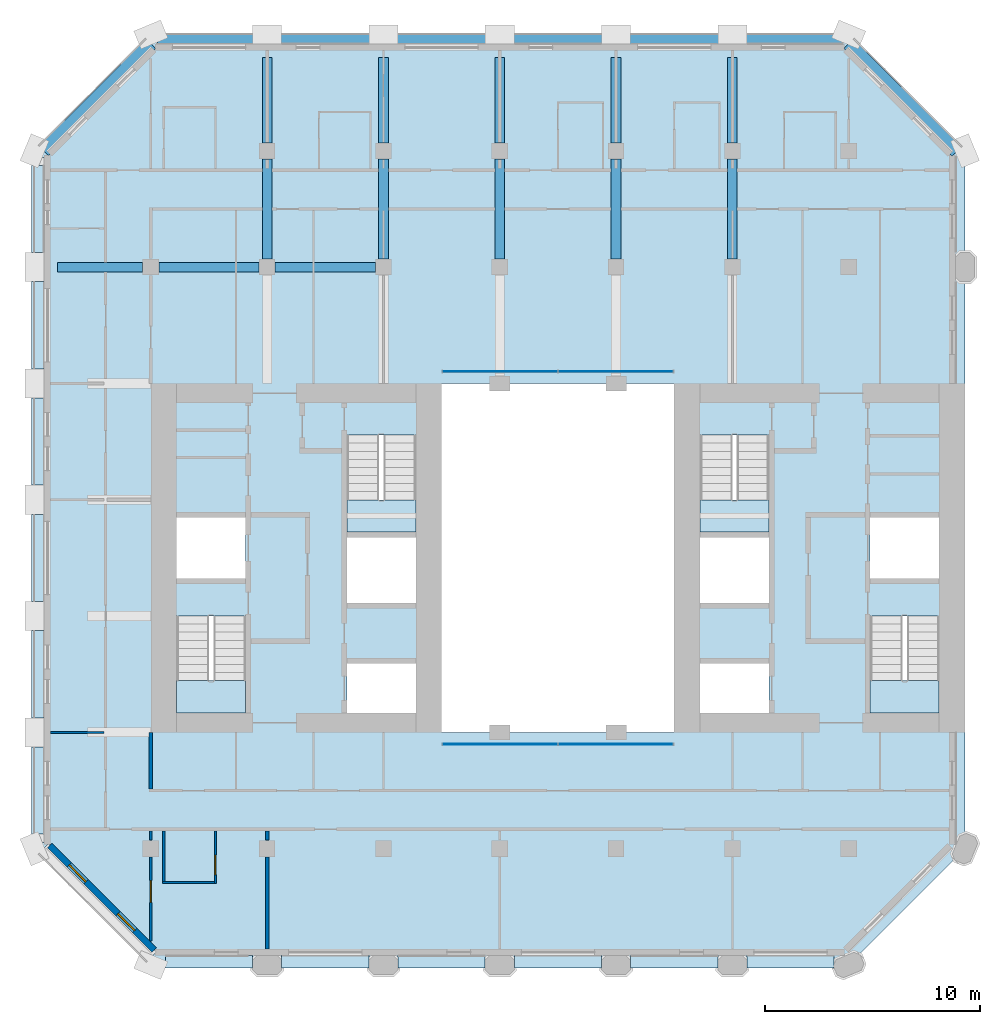
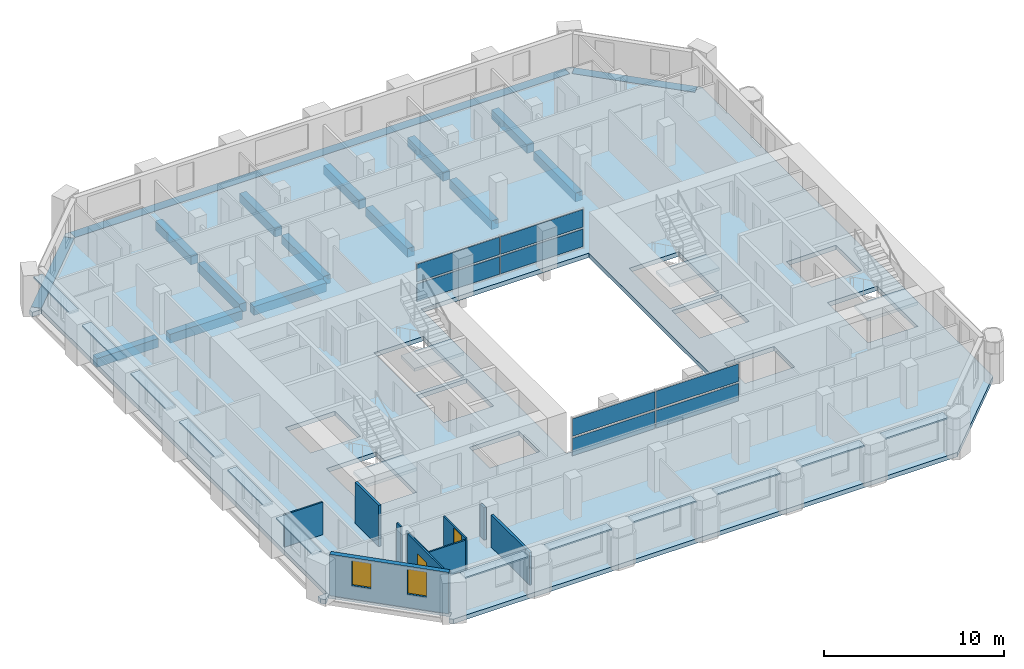
# One storey, part 5 of 14: 20 plates, 16 beams, 10 walls, 5 slabs, 2 doors, 2 windows, 4 openings, 6 elements without a shape of their own.
"""IFC4 building model written with IfcOpenShell, lengths in metres."""

from ifc_helpers import new_model, si_unit, direction, frame, frame_2d, origin, origin_2d, place, context, subcontext, project, spatial, polyline, rectangle, outline, extrude, material, layer, layer_set, material_profile, profile_set, type_object, element, fill, aggregate, save


model = new_model("IFC4")

# Units and contexts
model_context = context("Model", 3, precision=1e-05, world=origin(), true_north=direction((0.0, 1.0)))
body_context = subcontext(model_context, "Body", "Model", "MODEL_VIEW")
ifc_project = project(units=[si_unit("LENGTHUNIT", "METRE"), si_unit("AREAUNIT", "SQUARE_METRE"), si_unit("VOLUMEUNIT", "CUBIC_METRE"), si_unit("PLANEANGLEUNIT", "RADIAN"), si_unit("MASSUNIT", "GRAM", prefix="KILO")], contexts=[model_context])

# Site, building, storey
site_placement = place(None, origin())
site = spatial("IfcSite", under=ifc_project, at=site_placement, CompositionType="ELEMENT")
building_placement = place(site_placement, origin())
building = spatial("IfcBuilding", under=site, at=building_placement, Name="Tabaq Tower and Sports Hall", CompositionType="ELEMENT")
storey_placement = place(building_placement, frame((0.0, 0.0, 230.199951171875)))
storey = spatial("IfcBuildingStorey", under=building, at=storey_placement, Name="L58", CompositionType="ELEMENT", Elevation=230.199951171875)

# Beams
ifc_material_1 = material(Name="Concrete C40/50", Category="concrete")
ifc_material_profile_1 = material_profile(ifc_material_1, rectangle(XDim=0.449951171875, YDim=0.60009765625, at=origin_2d()), Name="CB 450x600")
ifc_profile_set_1 = profile_set([ifc_material_profile_1], Name="Concrete C40/50")
beam_type_1 = type_object("IfcBeamType", Name="PT CANTILEVER BEAM CB 450x600 C40/50", PredefinedType="BEAM", material=ifc_profile_set_1)
beam_1_placement = place(storey_placement, frame((1.074951171875, 37.800048828125, -0.599853515625), z_axis=(1.0, 0.0, 0.0), x_axis=(0.0, 1.0, 0.0)))
element("IfcBeam", 1, at=beam_1_placement, inside=storey, type_object=beam_type_1, Name="Cantilever Beam L58 W7 span 1", PredefinedType="BEAM", context=body_context, shape_type="SweptSolid", body=[
    extrude(rectangle(XDim=0.449951171875, YDim=0.60009765625, at=origin_2d()), origin(), (0.0, 0.0, 1.0), 3.949951171875),
])
beam_2_placement = place(storey_placement, frame((5.77490234375, 37.800048828125, -0.599853515625), z_axis=(1.0, 0.0, 0.0), x_axis=(0.0, 1.0, 0.0)))
element("IfcBeam", 2, at=beam_2_placement, inside=storey, type_object=beam_type_1, Name="Cantilever Beam L58 W7 span 2", PredefinedType="BEAM", context=body_context, shape_type="SweptSolid", body=[
    extrude(rectangle(XDim=0.449951171875, YDim=0.60009765625, at=origin_2d()), origin(), (0.0, 0.0, 1.0), 4.650146484375),
])
beam_3_placement = place(storey_placement, frame((11.175048828125, 37.800048828125, -0.599853515625), z_axis=(1.0, 0.0, 0.0), x_axis=(0.0, 1.0, 0.0)))
element("IfcBeam", 3, at=beam_3_placement, inside=storey, type_object=beam_type_1, Name="Cantilever Beam L58 W7 span 3", PredefinedType="BEAM", context=body_context, shape_type="SweptSolid", body=[
    extrude(rectangle(XDim=0.449951171875, YDim=0.60009765625, at=origin_2d()), origin(), (0.0, 0.0, 1.0), 4.64990234375),
])
beam_4_placement = place(storey_placement, frame((10.800048828125, 47.52490234375, -0.599853515625), z_axis=(0.0, -1.0, 0.0), x_axis=(1.0, 0.0, 0.0)))
element("IfcBeam", 4, at=beam_4_placement, inside=storey, type_object=beam_type_1, Name="Cantilever Beam L58 N2 span 1", PredefinedType="BEAM", context=body_context, shape_type="SweptSolid", body=[
    extrude(rectangle(XDim=0.449951171875, YDim=0.60009765625, at=origin_2d()), origin(), (0.0, 0.0, 1.0), 3.949951171875),
])
beam_5_placement = place(storey_placement, frame((10.800048828125, 42.824951171875, -0.599853515625), z_axis=(0.0, -1.0, 0.0), x_axis=(1.0, 0.0, 0.0)))
element("IfcBeam", 5, at=beam_5_placement, inside=storey, type_object=beam_type_1, Name="Cantilever Beam L58 N2 span 2", PredefinedType="BEAM", context=body_context, shape_type="SweptSolid", body=[
    extrude(rectangle(XDim=0.449951171875, YDim=0.60009765625, at=origin_2d()), origin(), (0.0, 0.0, 1.0), 4.64990234375),
])
beam_6_placement = place(storey_placement, frame((16.199951171875, 47.52490234375, -0.599853515625), z_axis=(0.0, -1.0, 0.0), x_axis=(1.0, 0.0, 0.0)))
element("IfcBeam", 6, at=beam_6_placement, inside=storey, type_object=beam_type_1, Name="Cantilever Beam L58 N3 span 1", PredefinedType="BEAM", context=body_context, shape_type="SweptSolid", body=[
    extrude(rectangle(XDim=0.449951171875, YDim=0.60009765625, at=origin_2d()), origin(), (0.0, 0.0, 1.0), 3.949951171875),
])
beam_7_placement = place(storey_placement, frame((16.199951171875, 42.824951171875, -0.599853515625), z_axis=(0.0, -1.0, 0.0), x_axis=(1.0, 0.0, 0.0)))
element("IfcBeam", 7, at=beam_7_placement, inside=storey, type_object=beam_type_1, Name="Cantilever Beam L58 N3 span 2", PredefinedType="BEAM", context=body_context, shape_type="SweptSolid", body=[
    extrude(rectangle(XDim=0.449951171875, YDim=0.60009765625, at=origin_2d()), origin(), (0.0, 0.0, 1.0), 4.64990234375),
])
beam_8_placement = place(storey_placement, frame((21.60009765625, 47.52490234375, -0.599853515625), z_axis=(0.0, -1.0, 0.0), x_axis=(1.0, 0.0, 0.0)))
element("IfcBeam", 8, at=beam_8_placement, inside=storey, type_object=beam_type_1, Name="Cantilever Beam L58 N4 span 1", PredefinedType="BEAM", context=body_context, shape_type="SweptSolid", body=[
    extrude(rectangle(XDim=0.449951171875, YDim=0.60009765625, at=origin_2d()), origin(), (0.0, 0.0, 1.0), 3.949951171875),
])
beam_9_placement = place(storey_placement, frame((21.60009765625, 42.824951171875, -0.599853515625), z_axis=(0.0, -1.0, 0.0), x_axis=(1.0, 0.0, 0.0)))
element("IfcBeam", 9, at=beam_9_placement, inside=storey, type_object=beam_type_1, Name="Cantilever Beam L58 N4 span 2", PredefinedType="BEAM", context=body_context, shape_type="SweptSolid", body=[
    extrude(rectangle(XDim=0.449951171875, YDim=0.60009765625, at=origin_2d()), origin(), (0.0, 0.0, 1.0), 4.64990234375),
])
beam_10_placement = place(storey_placement, frame((27.0, 47.52490234375, -0.599853515625), z_axis=(0.0, -1.0, 0.0), x_axis=(1.0, 0.0, 0.0)))
element("IfcBeam", 10, at=beam_10_placement, inside=storey, type_object=beam_type_1, Name="Cantilever Beam L58 N5 span 1", PredefinedType="BEAM", context=body_context, shape_type="SweptSolid", body=[
    extrude(rectangle(XDim=0.449951171875, YDim=0.60009765625, at=origin_2d()), origin(), (0.0, 0.0, 1.0), 3.949951171875),
])
beam_11_placement = place(storey_placement, frame((27.0, 42.824951171875, -0.599853515625), z_axis=(0.0, -1.0, 0.0), x_axis=(1.0, 0.0, 0.0)))
element("IfcBeam", 11, at=beam_11_placement, inside=storey, type_object=beam_type_1, Name="Cantilever Beam L58 N5 span 2", PredefinedType="BEAM", context=body_context, shape_type="SweptSolid", body=[
    extrude(rectangle(XDim=0.449951171875, YDim=0.60009765625, at=origin_2d()), origin(), (0.0, 0.0, 1.0), 4.64990234375),
])
beam_12_placement = place(storey_placement, frame((32.39990234375, 47.52490234375, -0.599853515625), z_axis=(0.0, -1.0, 0.0), x_axis=(1.0, 0.0, 0.0)))
element("IfcBeam", 12, at=beam_12_placement, inside=storey, type_object=beam_type_1, Name="Cantilever Beam L58 N6 span 1", PredefinedType="BEAM", context=body_context, shape_type="SweptSolid", body=[
    extrude(rectangle(XDim=0.449951171875, YDim=0.60009765625, at=origin_2d()), origin(), (0.0, 0.0, 1.0), 3.949951171875),
])
beam_13_placement = place(storey_placement, frame((32.39990234375, 42.824951171875, -0.599853515625), z_axis=(0.0, -1.0, 0.0), x_axis=(1.0, 0.0, 0.0)))
element("IfcBeam", 13, at=beam_13_placement, inside=storey, type_object=beam_type_1, Name="Cantilever Beam L58 N6 span 2", PredefinedType="BEAM", context=body_context, shape_type="SweptSolid", body=[
    extrude(rectangle(XDim=0.449951171875, YDim=0.60009765625, at=origin_2d()), origin(), (0.0, 0.0, 1.0), 4.64990234375),
])
ifc_material_2 = material(Name="Concrete C40/50", Category="concrete")
ifc_material_profile_2 = material_profile(ifc_material_2, rectangle(XDim=0.60009765625, YDim=0.300048828125, at=origin_2d()), Name="EB 600x300")
ifc_profile_set_2 = profile_set([ifc_material_profile_2], Name="Concrete C40/50")
beam_type_2 = type_object("IfcBeamType", Name="PT EDGE BEAM EB 600x300 C40/50", PredefinedType="SPANDREL", material=ifc_profile_set_2)
beam_14_placement = place(storey_placement, frame((42.81103515625, 43.16455078125, -0.14990234375), z_axis=(-0.707089559252, 0.707124002701, 0.0), x_axis=(-0.707124002701, -0.707089559252, 0.0)))
element("IfcBeam", 14, at=beam_14_placement, inside=storey, type_object=beam_type_2, Name="Edge Beam L58 1", PredefinedType="SPANDREL", context=body_context, shape_type="SweptSolid", body=[
    extrude(rectangle(XDim=0.60009765625, YDim=0.300048828125, at=origin_2d()), origin(), (0.0, 0.0, 1.0), 7.088134765625),
])
beam_15_placement = place(storey_placement, frame((37.50146484375, 48.300048828125, -0.14990234375), z_axis=(-1.0, 0.0, 0.0), x_axis=(0.0, -1.0, 0.0)))
element("IfcBeam", 15, at=beam_15_placement, inside=storey, type_object=beam_type_2, Name="Edge Beam L58 2", PredefinedType="SPANDREL", context=body_context, shape_type="SweptSolid", body=[
    extrude(rectangle(XDim=0.60009765625, YDim=0.300048828125, at=origin_2d()), origin(), (0.0, 0.0, 1.0), 31.802978515625),
])
beam_16_placement = place(storey_placement, frame((5.401123046875, 48.1767578125, -0.14990234375), z_axis=(-0.707106781187, -0.707106781187, 0.0), x_axis=(0.707106781187, -0.707106781187, 0.0)))
element("IfcBeam", 16, at=beam_16_placement, inside=storey, type_object=beam_type_2, Name="Edge Beam L58 3", PredefinedType="SPANDREL", context=body_context, shape_type="SweptSolid", body=[
    extrude(rectangle(XDim=0.60009765625, YDim=0.300048828125, at=origin_2d()), origin(), (0.0, 0.0, 1.0), 7.03955078125),
])

# Curtain wall, plates
ifc_material_3 = material(Name="Aluminium alloy 6063-T6 framed glazing", Category="aluminium")
curtain_wall_type = type_object("IfcCurtainWallType", Name="CW1 curtain wall", PredefinedType="USERDEFINED", material=ifc_material_3)
curtain_wall_1_placement = place(storey_placement, origin())
curtain_wall_1 = element("IfcCurtainWall", 17, at=curtain_wall_1_placement, inside=storey, type_object=curtain_wall_type, Name="Atrium glazing L58 S", ObjectType="ATRIUM ENCLOSURE", PredefinedType="USERDEFINED")
ifc_material_4 = material(Name="Clear low-emissivity glass 28 mm", Category="glass")
ifc_layer_1 = layer(ifc_material_4, 0.028076171875)
ifc_layer_set_1 = layer_set([ifc_layer_1], Name="CW1 glass panel 28")
plate_type_1 = type_object("IfcPlateType", Name="CW1 glass panel 28", PredefinedType="CURTAIN_PANEL", material=ifc_layer_set_1)
plate_1_placement = place(storey_placement, frame((21.614990234375, 15.64990234375, 0.14013671875), z_axis=(0.0, 0.0, 1.0), x_axis=(1.0, 0.0, 0.0)))
plate_1 = element("IfcPlate", 18, at=plate_1_placement, type_object=plate_type_1, Name="CW1 panel 1.1", PredefinedType="CURTAIN_PANEL", context=body_context, shape_type="SweptSolid", body=[
    extrude(rectangle(XDim=5.31005859375, YDim=0.028076171875, at=origin_2d()), origin(), (0.0, 0.0, 1.0), 1.18994140625),
])
plate_2_placement = place(storey_placement, frame((21.614990234375, 15.64990234375, 1.469970703125), z_axis=(0.0, 0.0, 1.0), x_axis=(1.0, 0.0, 0.0)))
plate_2 = element("IfcPlate", 19, at=plate_2_placement, type_object=plate_type_1, Name="CW1 panel 1.2", PredefinedType="CURTAIN_PANEL", context=body_context, shape_type="SweptSolid", body=[
    extrude(rectangle(XDim=5.31005859375, YDim=0.028076171875, at=origin_2d()), origin(), (0.0, 0.0, 1.0), 1.18994140625),
])
plate_3_placement = place(storey_placement, frame((26.985107421875, 15.64990234375, 0.14013671875), z_axis=(0.0, 0.0, 1.0), x_axis=(1.0, 0.0, 0.0)))
plate_3 = element("IfcPlate", 20, at=plate_3_placement, type_object=plate_type_1, Name="CW1 panel 2.1", PredefinedType="CURTAIN_PANEL", context=body_context, shape_type="SweptSolid", body=[
    extrude(rectangle(XDim=5.31005859375, YDim=0.028076171875, at=origin_2d()), origin(), (0.0, 0.0, 1.0), 1.18994140625),
])
plate_4_placement = place(storey_placement, frame((26.985107421875, 15.64990234375, 1.469970703125), z_axis=(0.0, 0.0, 1.0), x_axis=(1.0, 0.0, 0.0)))
plate_4 = element("IfcPlate", 21, at=plate_4_placement, type_object=plate_type_1, Name="CW1 panel 2.2", PredefinedType="CURTAIN_PANEL", context=body_context, shape_type="SweptSolid", body=[
    extrude(rectangle(XDim=5.31005859375, YDim=0.028076171875, at=origin_2d()), origin(), (0.0, 0.0, 1.0), 1.18994140625),
])
aggregate(curtain_wall_1, [plate_1, plate_2, plate_3, plate_4])

curtain_wall_2_placement = place(storey_placement, origin())
curtain_wall_2 = element("IfcCurtainWall", 22, at=curtain_wall_2_placement, inside=storey, type_object=curtain_wall_type, Name="Atrium glazing L58 N", ObjectType="ATRIUM ENCLOSURE", PredefinedType="USERDEFINED")
plate_5_placement = place(storey_placement, frame((21.614990234375, 32.949951171875, 0.14013671875), z_axis=(0.0, 0.0, 1.0), x_axis=(1.0, 0.0, 0.0)))
plate_5 = element("IfcPlate", 23, at=plate_5_placement, type_object=plate_type_1, Name="CW1 panel 1.1", PredefinedType="CURTAIN_PANEL", context=body_context, shape_type="SweptSolid", body=[
    extrude(rectangle(XDim=5.31005859375, YDim=0.028076171875, at=origin_2d()), origin(), (0.0, 0.0, 1.0), 1.18994140625),
])
plate_6_placement = place(storey_placement, frame((21.614990234375, 32.949951171875, 1.469970703125), z_axis=(0.0, 0.0, 1.0), x_axis=(1.0, 0.0, 0.0)))
plate_6 = element("IfcPlate", 24, at=plate_6_placement, type_object=plate_type_1, Name="CW1 panel 1.2", PredefinedType="CURTAIN_PANEL", context=body_context, shape_type="SweptSolid", body=[
    extrude(rectangle(XDim=5.31005859375, YDim=0.028076171875, at=origin_2d()), origin(), (0.0, 0.0, 1.0), 1.18994140625),
])
plate_7_placement = place(storey_placement, frame((26.985107421875, 32.949951171875, 0.14013671875), z_axis=(0.0, 0.0, 1.0), x_axis=(1.0, 0.0, 0.0)))
plate_7 = element("IfcPlate", 25, at=plate_7_placement, type_object=plate_type_1, Name="CW1 panel 2.1", PredefinedType="CURTAIN_PANEL", context=body_context, shape_type="SweptSolid", body=[
    extrude(rectangle(XDim=5.31005859375, YDim=0.028076171875, at=origin_2d()), origin(), (0.0, 0.0, 1.0), 1.18994140625),
])
plate_8_placement = place(storey_placement, frame((26.985107421875, 32.949951171875, 1.469970703125), z_axis=(0.0, 0.0, 1.0), x_axis=(1.0, 0.0, 0.0)))
plate_8 = element("IfcPlate", 26, at=plate_8_placement, type_object=plate_type_1, Name="CW1 panel 2.2", PredefinedType="CURTAIN_PANEL", context=body_context, shape_type="SweptSolid", body=[
    extrude(rectangle(XDim=5.31005859375, YDim=0.028076171875, at=origin_2d()), origin(), (0.0, 0.0, 1.0), 1.18994140625),
])
aggregate(curtain_wall_2, [plate_5, plate_6, plate_7, plate_8])

# Stair, slab
ifc_material_5 = material(Name="Concrete C40/50", Category="concrete")
stair_type = type_object("IfcStairType", Name="Exit stair", PredefinedType="HALF_TURN_STAIR", material=ifc_material_5)
stair_1_placement = place(storey_placement, origin())
stair_1 = element("IfcStair", 27, at=stair_1_placement, inside=storey, type_object=stair_type, Name="L58 Exit stair ST1", PredefinedType="HALF_TURN_STAIR")
ifc_material_6 = material(Name="Concrete C40/50", Category="concrete")
ifc_layer_2 = layer(ifc_material_6, 0.199951171875)
ifc_layer_set_2 = layer_set([ifc_layer_2], Name="Exit stair landing")
slab_type_1 = type_object("IfcSlabType", Name="Exit stair landing", PredefinedType="LANDING", material=ifc_layer_set_2)
slab_1_placement = place(storey_placement, frame((0.0, 0.0, 1.449951171875)))
slab_1 = element("IfcSlab", 28, at=slab_1_placement, type_object=slab_type_1, Name="ST1 landing 1", PredefinedType="LANDING", context=body_context, shape_type="SweptSolid", body=[
    extrude(outline(polyline([(6.60009765625, 18.60009765625), (6.60009765625, 17.10009765625), (9.800048828125, 17.10009765625), (9.800048828125, 18.60009765625), (6.60009765625, 18.60009765625)])), origin(), (0.0, 0.0, 1.0), 0.2001953125),
])
aggregate(stair_1, [slab_1])

stair_2_placement = place(storey_placement, origin())
stair_2 = element("IfcStair", 29, at=stair_2_placement, inside=storey, type_object=stair_type, Name="L58 Exit stair ST2", PredefinedType="HALF_TURN_STAIR")
slab_2_placement = place(storey_placement, frame((0.0, 0.0, 1.449951171875)))
slab_2 = element("IfcSlab", 30, at=slab_2_placement, type_object=slab_type_1, Name="ST2 landing 1", PredefinedType="LANDING", context=body_context, shape_type="SweptSolid", body=[
    extrude(outline(polyline([(14.5, 27.0), (14.5, 25.5), (17.699951171875, 25.5), (17.699951171875, 27.0), (14.5, 27.0)])), origin(), (0.0, 0.0, 1.0), 0.2001953125),
])
aggregate(stair_2, [slab_2])

stair_3_placement = place(storey_placement, origin())
stair_3 = element("IfcStair", 31, at=stair_3_placement, inside=storey, type_object=stair_type, Name="L58 Exit stair ST3", PredefinedType="HALF_TURN_STAIR")
slab_3_placement = place(storey_placement, frame((0.0, 0.0, 1.449951171875)))
slab_3 = element("IfcSlab", 32, at=slab_3_placement, type_object=slab_type_1, Name="ST3 landing 1", PredefinedType="LANDING", context=body_context, shape_type="SweptSolid", body=[
    extrude(outline(polyline([(38.800048828125, 18.60009765625), (38.800048828125, 17.10009765625), (42.0, 17.10009765625), (42.0, 18.60009765625), (38.800048828125, 18.60009765625)])), origin(), (0.0, 0.0, 1.0), 0.2001953125),
])
aggregate(stair_3, [slab_3])

stair_4_placement = place(storey_placement, origin())
stair_4 = element("IfcStair", 33, at=stair_4_placement, inside=storey, type_object=stair_type, Name="L58 Exit stair ST4", PredefinedType="HALF_TURN_STAIR")
slab_4_placement = place(storey_placement, frame((0.0, 0.0, 1.449951171875)))
slab_4 = element("IfcSlab", 34, at=slab_4_placement, type_object=slab_type_1, Name="ST4 landing 1", PredefinedType="LANDING", context=body_context, shape_type="SweptSolid", body=[
    extrude(outline(polyline([(30.89990234375, 27.0), (30.89990234375, 25.5), (34.10009765625, 25.5), (34.10009765625, 27.0), (30.89990234375, 27.0)])), origin(), (0.0, 0.0, 1.0), 0.2001953125),
])
aggregate(stair_4, [slab_4])

# Slab
ifc_material_7 = material(Name="Concrete C40/50", Category="concrete")
ifc_layer_3 = layer(ifc_material_7, 0.300048828125)
ifc_layer_set_3 = layer_set([ifc_layer_3], Name="PT FLOOR SLAB 300 C40/50")
slab_type_2 = type_object("IfcSlabType", Name="PT FLOOR SLAB 300 C40/50", PredefinedType="FLOOR", material=ifc_layer_set_3)
slab_5_placement = place(storey_placement, frame((0.0, 0.0, -0.300048828125)))
element("IfcSlab", 35, at=slab_5_placement, inside=storey, type_object=slab_type_2, Name="Floor Slab L58", PredefinedType="FLOOR", context=body_context, shape_type="SweptSolid", body=[
    extrude(outline(polyline([(0.0, 11.0986328125), (0.0, 10.800048828125), (0.211181640625, 10.5888671875), (0.63525390625, 11.01318359375), (5.6474609375, 6.0009765625), (5.57666015625, 5.930419921875), (5.22314453125, 5.57666015625), (5.39990234375, 5.39990234375), (37.800048828125, 5.39990234375), (43.199951171875, 10.800048828125), (43.199951171875, 43.199951171875), (43.023193359375, 43.376708984375), (42.669677734375, 43.023193359375), (42.598876953125, 42.952392578125), (37.5869140625, 47.964599609375), (37.657470703125, 48.035400390625), (38.010986328125, 48.388916015625), (37.800048828125, 48.60009765625), (37.50146484375, 48.60009765625), (37.50146484375, 48.10009765625), (37.50146484375, 48.0), (5.698486328125, 48.0), (5.698486328125, 48.10009765625), (5.698486328125, 48.60009765625), (5.39990234375, 48.60009765625), (5.18896484375, 48.388916015625), (5.54248046875, 48.035400390625), (5.61328125, 47.964599609375), (0.63525390625, 42.98681640625), (0.211181640625, 43.4111328125), (0.0, 43.199951171875), (0.0, 42.9013671875), (0.5, 42.9013671875), (0.60009765625, 42.9013671875), (0.60009765625, 11.0986328125), (0.5, 11.0986328125), (0.0, 11.0986328125)]), holes=[polyline([(14.5, 19.39990234375), (17.699951171875, 19.39990234375), (17.699951171875, 17.10009765625), (14.5, 17.10009765625), (14.5, 19.39990234375)]), polyline([(6.60009765625, 21.599365234375), (9.800048828125, 21.599365234375), (9.800048828125, 17.10009765625), (6.60009765625, 17.10009765625), (6.60009765625, 21.599365234375)]), polyline([(14.5, 25.25), (17.699951171875, 25.25), (17.699951171875, 22.199951171875), (14.5, 22.199951171875), (14.5, 25.25)]), polyline([(18.89990234375, 32.39990234375), (29.699951171875, 32.39990234375), (29.699951171875, 16.199951171875), (18.89990234375, 16.199951171875), (18.89990234375, 32.39990234375)]), polyline([(9.800048828125, 26.175048828125), (9.800048828125, 23.35009765625), (6.60009765625, 23.35009765625), (6.60009765625, 26.175048828125), (9.800048828125, 26.175048828125)]), polyline([(14.5, 29.99951171875), (17.699951171875, 29.99951171875), (17.699951171875, 25.5), (14.5, 25.5), (14.5, 29.99951171875)]), polyline([(34.10009765625, 19.39990234375), (34.10009765625, 17.10009765625), (30.89990234375, 17.10009765625), (30.89990234375, 19.39990234375), (34.10009765625, 19.39990234375)]), polyline([(42.0, 21.599365234375), (42.0, 17.10009765625), (38.800048828125, 17.10009765625), (38.800048828125, 21.599365234375), (42.0, 21.599365234375)]), polyline([(30.89990234375, 25.25), (34.10009765625, 25.25), (34.10009765625, 22.199951171875), (30.89990234375, 22.199951171875), (30.89990234375, 25.25)]), polyline([(42.0, 26.175048828125), (42.0, 23.35009765625), (38.800048828125, 23.35009765625), (38.800048828125, 26.175048828125), (42.0, 26.175048828125)]), polyline([(34.10009765625, 29.99951171875), (34.10009765625, 25.5), (30.89990234375, 25.5), (30.89990234375, 29.99951171875), (34.10009765625, 29.99951171875)])]), origin(), (0.0, 0.0, 1.0), 0.300048828125),
])

# Plates
ifc_material_8 = material(Name="White precast concrete C60/75 blade", Category="concrete")
ifc_layer_4 = layer(ifc_material_8, 0.10009765625)
ifc_layer_set_4 = layer_set([ifc_layer_4], Name="White precast concrete C60/75 sunshade 100")
plate_type_2 = type_object("IfcPlateType", Name="White precast concrete C60/75 sunshade 100", PredefinedType="USERDEFINED", material=ifc_layer_set_4)
for number, where, z_axis, x_axis, name in (
    (36, (8.10009765625, 5.550048828125, 2.60009765625), (0.0, 0.0, 1.0), (1.0, 0.0, 0.0), "Sunshade L58 S"),
    (37, (13.5, 5.550048828125, 2.60009765625), (0.0, 0.0, 1.0), (1.0, 0.0, 0.0), "Sunshade L58 S"),
    (38, (18.89990234375, 5.550048828125, 2.60009765625), (0.0, 0.0, 1.0), (1.0, 0.0, 0.0), "Sunshade L58 S"),
    (39, (24.300048828125, 5.550048828125, 2.60009765625), (0.0, 0.0, 1.0), (1.0, 0.0, 0.0), "Sunshade L58 S"),
    (40, (29.699951171875, 5.550048828125, 2.60009765625), (0.0, 0.0, 1.0), (1.0, 0.0, 0.0), "Sunshade L58 S"),
    (41, (35.10009765625, 5.550048828125, 2.60009765625), (0.0, 0.0, 1.0), (1.0, 0.0, 0.0), "Sunshade L58 S"),
    (42, (0.14990234375, 40.5, 2.60009765625), (0.0, 0.0, 1.0), (0.0, -1.0, 0.0), "Sunshade L58 W"),
    (43, (0.14990234375, 35.10009765625, 2.60009765625), (0.0, 0.0, 1.0), (0.0, -1.0, 0.0), "Sunshade L58 W"),
    (44, (0.14990234375, 29.699951171875, 2.60009765625), (0.0, 0.0, 1.0), (0.0, -1.0, 0.0), "Sunshade L58 W"),
    (45, (0.14990234375, 24.300048828125, 2.60009765625), (0.0, 0.0, 1.0), (0.0, -1.0, 0.0), "Sunshade L58 W"),
    (46, (0.14990234375, 18.89990234375, 2.60009765625), (0.0, 0.0, 1.0), (0.0, -1.0, 0.0), "Sunshade L58 W"),
    (47, (0.14990234375, 13.5, 2.60009765625), (0.0, 0.0, 1.0), (0.0, -1.0, 0.0), "Sunshade L58 W"),
):
    element("IfcPlate", number, at=place(storey_placement, frame(where, z_axis=z_axis, x_axis=x_axis)), inside=storey, type_object=plate_type_2, Name=name, ObjectType="SUNSHADE", PredefinedType="USERDEFINED", context=body_context, shape_type="SweptSolid", body=[
        extrude(rectangle(XDim=4.050048828125, YDim=0.60009765625, at=origin_2d()), origin(), (0.0, 0.0, 1.0), 0.10009765625),
    ])

# Wall
ifc_material_9 = material(Name="Gypsum board on steel studs", Category="steel")
ifc_layer_5 = layer(ifc_material_9, 0.10009765625)
ifc_layer_set_5 = layer_set([ifc_layer_5], Name="Partition 100 Gypsum board")
wall_type_1 = type_object("IfcWallType", Name="Partition 100 Gypsum board", PredefinedType="PARTITIONING", material=ifc_layer_set_5)
wall_1_placement = place(storey_placement, frame((3.22509765625, 16.199951171875, 0.0), z_axis=(0.0, 0.0, 1.0), x_axis=(-1.0, 0.0, 0.0)))
element("IfcWall", 48, at=wall_1_placement, inside=storey, type_object=wall_type_1, Name="Partition wall L58", PredefinedType="PARTITIONING", context=body_context, shape_type="SweptSolid", body=[
    extrude(rectangle(XDim=2.47412109375, YDim=0.10009765625, at=frame_2d((1.237060546875, 0.0))), origin(), (0.0, 0.0, 1.0), 2.199951171875),
])

# Wall, opening, door
wall_2_placement = place(storey_placement, frame((8.39990234375, 11.625, 0.0), z_axis=(0.0, 0.0, 1.0), x_axis=(0.0, -1.0, 0.0)))
wall_2 = element("IfcWall", 49, at=wall_2_placement, inside=storey, type_object=wall_type_1, Name="Partition wall L58", PredefinedType="PARTITIONING", context=body_context, shape_type="SweptSolid", body=[
    extrude(rectangle(XDim=2.449951171875, YDim=0.10009765625, at=frame_2d((1.22509765625, 0.0))), origin(), (0.0, 0.0, 1.0), 2.199951171875),
])
opening_1_placement = place(wall_2_placement, frame((1.125, 0.0, 0.0)))
opening_1 = element("IfcOpeningElement", 50, at=opening_1_placement, cuts=wall_2, Name="Opening L58-017", PredefinedType="OPENING", context=body_context, shape_type="SweptSolid", body=[
    extrude(rectangle(XDim=0.89990234375, YDim=2.10009765625, at=frame_2d((0.449951171875, 1.050048828125))), frame((0.0, 0.050048828125, 0.0), z_axis=(0.0, -1.0, 0.0), x_axis=(1.0, 0.0, 0.0)), (0.0, 0.0, 1.0), 0.10009765625),
])
ifc_material_10 = material(Name="Timber leaf in steel frame", Category="steel")
door_type_1 = type_object("IfcDoorType", Name="Internal door 900 right hand", OperationType="SINGLE_SWING_RIGHT", PredefinedType="DOOR", material=ifc_material_10)
door_1_placement = place(opening_1_placement, origin())
door_1 = element("IfcDoor", 51, at=door_1_placement, inside=storey, type_object=door_type_1, Name="Internal door L58-017", OperationType="SINGLE_SWING_RIGHT", OverallHeight=2.10009765625, OverallWidth=0.89990234375, PredefinedType="DOOR", context=body_context, shape_type="SweptSolid", body=[
    extrude(rectangle(XDim=0.89990234375, YDim=2.10009765625, at=frame_2d((0.449951171875, 1.050048828125))), frame((0.0, 0.02490234375, 0.0), z_axis=(0.0, -1.0, 0.0), x_axis=(1.0, 0.0, 0.0)), (0.0, 0.0, 1.0), 0.050048828125),
])
fill(opening_1, door_1)

# Walls
wall_3_placement = place(storey_placement, frame((8.35009765625, 9.22509765625, 0.0), z_axis=(0.0, 0.0, 1.0), x_axis=(-1.0, 0.0, 0.0)))
element("IfcWall", 52, at=wall_3_placement, inside=storey, type_object=wall_type_1, Name="Partition wall L58", PredefinedType="PARTITIONING", context=body_context, shape_type="SweptSolid", body=[
    extrude(rectangle(XDim=2.400146484375, YDim=0.10009765625, at=frame_2d((1.2001953125, 0.0))), origin(), (0.0, 0.0, 1.0), 2.050048828125),
])
wall_4_placement = place(storey_placement, frame((6.0, 9.27490234375, 0.0), z_axis=(0.0, 0.0, 1.0), x_axis=(0.0, 1.0, 0.0)))
element("IfcWall", 53, at=wall_4_placement, inside=storey, type_object=wall_type_1, Name="Partition wall L58", PredefinedType="PARTITIONING", context=body_context, shape_type="SweptSolid", body=[
    extrude(rectangle(XDim=2.35009765625, YDim=0.10009765625, at=frame_2d((1.175048828125, 0.0))), origin(), (0.0, 0.0, 1.0), 2.050048828125),
])
wall_5_placement = place(storey_placement, frame((5.39990234375, 11.625, 0.0), z_axis=(0.0, 0.0, 1.0), x_axis=(0.0, -1.0, 0.0)))
element("IfcWall", 54, at=wall_5_placement, inside=storey, type_object=wall_type_1, Name="Partition wall L58", PredefinedType="PARTITIONING", context=body_context, shape_type="SweptSolid", body=[
    extrude(rectangle(XDim=0.429931640625, YDim=0.10009765625, at=frame_2d((0.21484375, 0.0))), origin(), (0.0, 0.0, 1.0), 2.800048828125),
])

# Wall, opening, door
wall_6_placement = place(storey_placement, frame((5.39990234375, 10.405029296875, 0.0), z_axis=(0.0, 0.0, 1.0), x_axis=(0.0, -1.0, 0.0)))
wall_6 = element("IfcWall", 55, at=wall_6_placement, inside=storey, type_object=wall_type_1, Name="Partition wall L58", PredefinedType="PARTITIONING", context=body_context, shape_type="SweptSolid", body=[
    extrude(rectangle(XDim=3.892822265625, YDim=0.10009765625, at=frame_2d((1.9462890625, 0.0))), origin(), (0.0, 0.0, 1.0), 2.800048828125),
])
opening_2_placement = place(wall_6_placement, frame((1.092529296875, 0.0, 0.0)))
opening_2 = element("IfcOpeningElement", 56, at=opening_2_placement, cuts=wall_6, Name="Opening L58-035", PredefinedType="OPENING", context=body_context, shape_type="SweptSolid", body=[
    extrude(rectangle(XDim=1.0, YDim=2.10009765625, at=frame_2d((0.5, 1.050048828125))), frame((0.0, 0.050048828125, 0.0), z_axis=(0.0, -1.0, 0.0), x_axis=(1.0, 0.0, 0.0)), (0.0, 0.0, 1.0), 0.10009765625),
])
ifc_material_11 = material(Name="Timber leaf in steel frame", Category="steel")
door_type_2 = type_object("IfcDoorType", Name="Internal door 1000 right hand", OperationType="SINGLE_SWING_RIGHT", PredefinedType="DOOR", material=ifc_material_11)
door_2_placement = place(opening_2_placement, origin())
door_2 = element("IfcDoor", 57, at=door_2_placement, inside=storey, type_object=door_type_2, Name="Internal door L58-035", OperationType="SINGLE_SWING_RIGHT", OverallHeight=2.10009765625, OverallWidth=1.0, PredefinedType="DOOR", context=body_context, shape_type="SweptSolid", body=[
    extrude(rectangle(XDim=1.0, YDim=2.10009765625, at=frame_2d((0.5, 1.050048828125))), frame((0.0, 0.02490234375, 0.0), z_axis=(0.0, -1.0, 0.0), x_axis=(1.0, 0.0, 0.0)), (0.0, 0.0, 1.0), 0.050048828125),
])
fill(opening_2, door_2)

# Walls
ifc_material_12 = material(Name="Blockwork", Category="masonry")
ifc_layer_6 = layer(ifc_material_12, 0.14990234375)
ifc_layer_set_6 = layer_set([ifc_layer_6], Name="Separating wall 150 Blockwork")
wall_type_2 = type_object("IfcWallType", Name="Separating wall 150 Blockwork", PredefinedType="PARTITIONING", material=ifc_layer_set_6)
wall_7_placement = place(storey_placement, frame((10.800048828125, 11.625, 0.0), z_axis=(0.0, 0.0, 1.0), x_axis=(0.0, -1.0, 0.0)))
element("IfcWall", 58, at=wall_7_placement, inside=storey, type_object=wall_type_2, Name="Separating wall L58", PredefinedType="PARTITIONING", context=body_context, shape_type="SweptSolid", body=[
    extrude(rectangle(XDim=0.429931640625, YDim=0.14990234375, at=frame_2d((0.21484375, 0.0))), origin(), (0.0, 0.0, 1.0), 2.199951171875),
])
wall_8_placement = place(storey_placement, frame((10.800048828125, 10.405029296875, 0.0), z_axis=(0.0, 0.0, 1.0), x_axis=(0.0, -1.0, 0.0)))
element("IfcWall", 59, at=wall_8_placement, inside=storey, type_object=wall_type_2, Name="Separating wall L58", PredefinedType="PARTITIONING", context=body_context, shape_type="SweptSolid", body=[
    extrude(rectangle(XDim=4.254150390625, YDim=0.14990234375, at=frame_2d((2.126953125, 0.0))), origin(), (0.0, 0.0, 1.0), 2.199951171875),
])
wall_9_placement = place(storey_placement, frame((5.39990234375, 13.574951171875, 0.0), z_axis=(0.0, 0.0, 1.0), x_axis=(0.0, 1.0, 0.0)))
element("IfcWall", 60, at=wall_9_placement, inside=storey, type_object=wall_type_2, Name="Separating wall L58", PredefinedType="PARTITIONING", context=body_context, shape_type="SweptSolid", body=[
    extrude(rectangle(XDim=2.625, YDim=0.14990234375, at=frame_2d((1.3125, 0.0))), origin(), (0.0, 0.0, 1.0), 2.800048828125),
])

# Wall, openings, windows
ifc_material_13 = material(Name="White precast concrete C60/75", Category="concrete")
ifc_layer_7 = layer(ifc_material_13, 0.300048828125)
ifc_layer_set_7 = layer_set([ifc_layer_7], Name="White precast concrete C60/75 external wall 300")
wall_type_3 = type_object("IfcWallType", Name="White precast concrete C60/75 external wall 300", PredefinedType="SOLIDWALL", material=ifc_layer_set_7)
wall_10_placement = place(storey_placement, frame((0.698974609375, 10.949462890625, 0.0), z_axis=(0.0, 0.0, 1.0), x_axis=(0.707106781187, -0.707106781187, 0.0)))
wall_10 = element("IfcWall", 61, at=wall_10_placement, inside=storey, type_object=wall_type_3, Name="External Wall L58 SW", PredefinedType="SOLIDWALL", context=body_context, shape_type="SweptSolid", body=[
    extrude(rectangle(XDim=6.85986328125, YDim=0.300048828125, at=frame_2d((3.429931640625, 0.0))), origin(), (0.0, 0.0, 1.0), 2.800048828125),
])
opening_3_placement = place(wall_10_placement, frame((1.27978515625, 0.0, 0.89990234375)))
opening_3 = element("IfcOpeningElement", 62, at=opening_3_placement, cuts=wall_10, Name="Opening W1B", PredefinedType="OPENING", context=body_context, shape_type="SweptSolid", body=[
    extrude(rectangle(XDim=1.10009765625, YDim=1.699951171875, at=frame_2d((0.550048828125, 0.85009765625))), frame((0.0, 0.16015625, 0.0), z_axis=(0.0, -1.0, 0.0), x_axis=(1.0, 0.0, 0.0)), (0.0, 0.0, 1.0), 0.320068359375),
])
opening_4_placement = place(wall_10_placement, frame((4.479736328125, 0.0, 0.89990234375)))
opening_4 = element("IfcOpeningElement", 63, at=opening_4_placement, cuts=wall_10, Name="Opening W1B", PredefinedType="OPENING", context=body_context, shape_type="SweptSolid", body=[
    extrude(rectangle(XDim=1.10009765625, YDim=1.699951171875, at=frame_2d((0.550048828125, 0.85009765625))), frame((0.0, 0.16015625, 0.0), z_axis=(0.0, -1.0, 0.0), x_axis=(1.0, 0.0, 0.0)), (0.0, 0.0, 1.0), 0.320068359375),
])
ifc_material_14 = material(Name="Aluminium framed clear glazing", Category="aluminium")
window_type = type_object("IfcWindowType", Name="Window W1B", PartitioningType="SINGLE_PANEL", PredefinedType="WINDOW", material=ifc_material_14)
window_1_placement = place(opening_3_placement, origin())
window_1 = element("IfcWindow", 64, at=window_1_placement, inside=storey, type_object=window_type, Name="Window W1B L58", OverallHeight=1.699951171875, OverallWidth=1.10009765625, PartitioningType="SINGLE_PANEL", PredefinedType="WINDOW", context=body_context, shape_type="SweptSolid", body=[
    extrude(rectangle(XDim=1.10009765625, YDim=1.699951171875, at=frame_2d((0.550048828125, 0.85009765625))), frame((0.0, 0.030029296875, 0.0), z_axis=(0.0, -1.0, 0.0), x_axis=(1.0, 0.0, 0.0)), (0.0, 0.0, 1.0), 0.06005859375),
])
fill(opening_3, window_1)
window_2_placement = place(opening_4_placement, origin())
window_2 = element("IfcWindow", 65, at=window_2_placement, inside=storey, type_object=window_type, Name="Window W1B L58", OverallHeight=1.699951171875, OverallWidth=1.10009765625, PartitioningType="SINGLE_PANEL", PredefinedType="WINDOW", context=body_context, shape_type="SweptSolid", body=[
    extrude(rectangle(XDim=1.10009765625, YDim=1.699951171875, at=frame_2d((0.550048828125, 0.85009765625))), frame((0.0, 0.030029296875, 0.0), z_axis=(0.0, -1.0, 0.0), x_axis=(1.0, 0.0, 0.0)), (0.0, 0.0, 1.0), 0.06005859375),
])
fill(opening_4, window_2)

save(model, "model.ifc")
